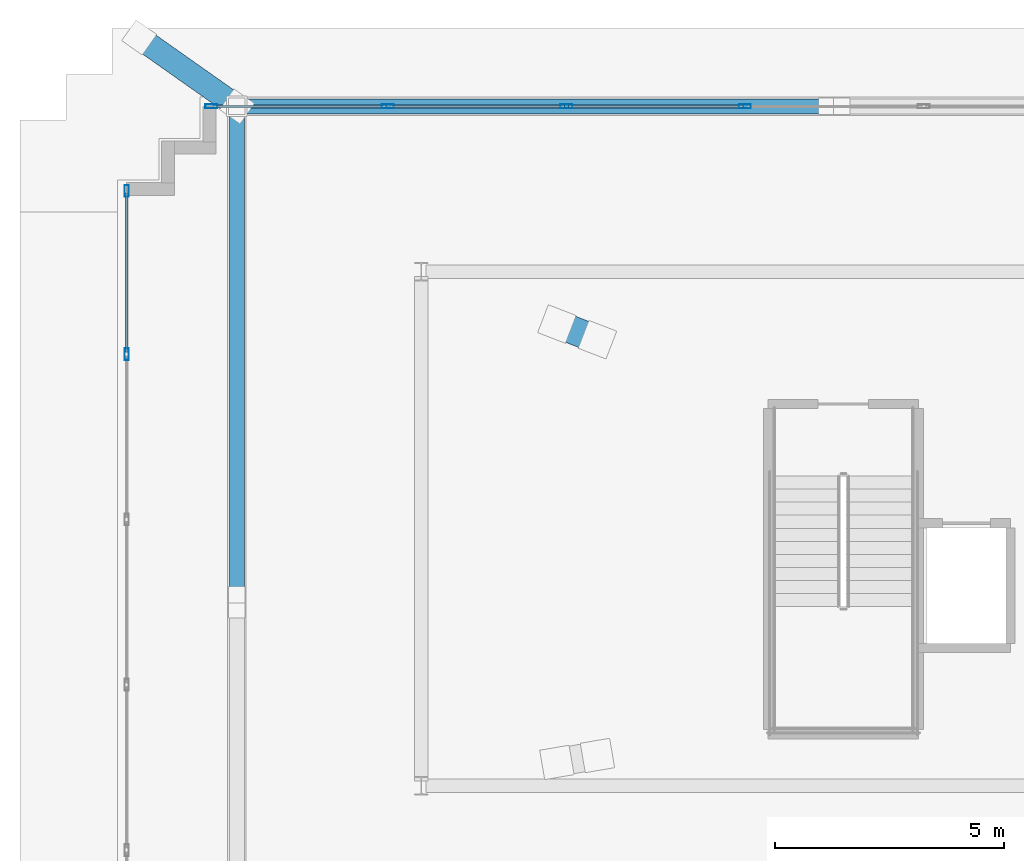
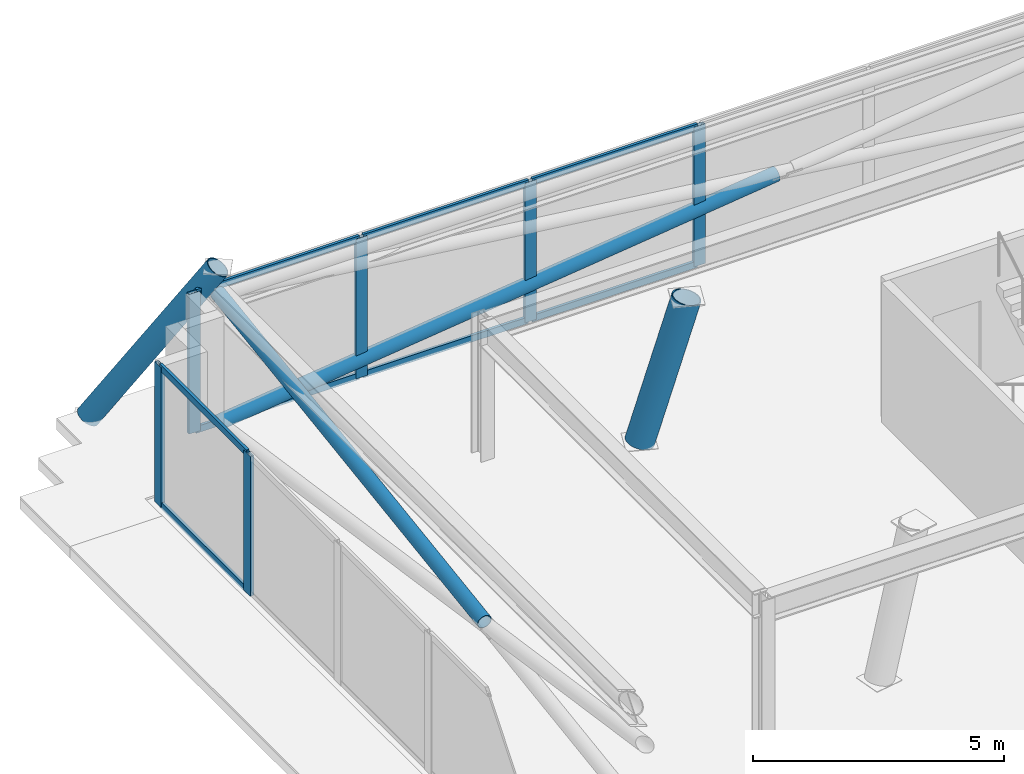
# One storey, part 7 of 15: 18 members, 2 elements without a shape of their own.
"""IFC4 building model written with IfcOpenShell, lengths in metres."""

from ifc_helpers import new_model, si_unit, direction, frame, origin, origin_2d, place, context, subcontext, project, spatial, hollow_rectangle, hollow_circle, extrude, material, layer, layer_set, material_profile, profile_set, type_object, element, aggregate, save


model = new_model("IFC4")

# Units and contexts
model_context = context("Model", 3, precision=1e-05, world=origin(), true_north=direction((0.0, 1.0)))
body_context = subcontext(model_context, "Body", "Model", "MODEL_VIEW")
ifc_project = project(units=[si_unit("LENGTHUNIT", "METRE"), si_unit("AREAUNIT", "SQUARE_METRE"), si_unit("VOLUMEUNIT", "CUBIC_METRE"), si_unit("PLANEANGLEUNIT", "RADIAN"), si_unit("MASSUNIT", "GRAM", prefix="KILO")], contexts=[model_context])

# Site, building, storey
site_placement = place(None, origin())
site = spatial("IfcSite", under=ifc_project, at=site_placement, CompositionType="ELEMENT")
building_placement = place(site_placement, origin())
building = spatial("IfcBuilding", under=site, at=building_placement, Name="Qobustan Lattice House", CompositionType="ELEMENT")
storey_placement = place(building_placement, frame((0.0, 0.0, 281.60009765625)))
storey = spatial("IfcBuildingStorey", under=building, at=storey_placement, Name="L79", CompositionType="ELEMENT", Elevation=281.60009765625)

# Curtain wall, members
ifc_material_1 = material(Name="Anodised aluminium and low-E glazing", Category="aluminium")
ifc_layer = layer(ifc_material_1, 0.219970703125)
ifc_layer_set = layer_set([ifc_layer], Name="Anodised aluminium and low-E glazing")
curtain_wall_type = type_object("IfcCurtainWallType", Name="CW-CRN-01", PredefinedType="USERDEFINED", material=ifc_layer_set)
curtain_wall_1_placement = place(storey_placement, origin())
curtain_wall_1 = element("IfcCurtainWall", 1, at=curtain_wall_1_placement, inside=storey, type_object=curtain_wall_type, Name="L79 glass-point crown faceted curtain wall 5", ObjectType="CURTAIN WALL", PredefinedType="USERDEFINED")
ifc_material_2 = material(Name="Anodised aluminium EN AW-6063 T6", Category="aluminium")
ifc_material_profile_1 = material_profile(ifc_material_2, hollow_rectangle(XDim=0.090087890625, YDim=0.260009765625, WallThickness=0.006103515625, at=origin_2d()), Name="CWM-CROWN-260x90")
ifc_profile_set_1 = profile_set([ifc_material_profile_1], Name="Anodised aluminium EN AW-6063 T6")
member_type_1 = type_object("IfcMemberType", Name="CWM-CRN-260", PredefinedType="MULLION", material=ifc_profile_set_1)
member_1_placement = place(storey_placement, frame((-15.6201171875, 3.802978515625, 0.0), z_axis=(0.0, 0.0, 1.0), x_axis=(-1.0, 0.0, 0.0)))
member_1 = element("IfcMember", 2, at=member_1_placement, type_object=member_type_1, Name="CW-CR mullion 5", PredefinedType="MULLION", context=body_context, shape_type="SweptSolid", body=[
    extrude(hollow_rectangle(XDim=0.090087890625, YDim=0.260009765625, WallThickness=0.006103515625, at=origin_2d()), origin(), (0.0, 0.0, 1.0), 3.39990234375),
])
member_2_placement = place(storey_placement, frame((-15.6201171875, 7.360107421875, 0.0), z_axis=(0.0, 0.0, 1.0), x_axis=(-1.0, 0.0, 0.0)))
member_2 = element("IfcMember", 3, at=member_2_placement, type_object=member_type_1, Name="CW-CR mullion 6", PredefinedType="MULLION", context=body_context, shape_type="SweptSolid", body=[
    extrude(hollow_rectangle(XDim=0.090087890625, YDim=0.260009765625, WallThickness=0.006103515625, at=origin_2d()), origin(), (0.0, 0.0, 1.0), 3.39990234375),
])

curtain_wall_2_placement = place(storey_placement, origin())
curtain_wall_2 = element("IfcCurtainWall", 4, at=curtain_wall_2_placement, inside=storey, type_object=curtain_wall_type, Name="L79 glass-point crown faceted curtain wall 10", ObjectType="CURTAIN WALL", PredefinedType="USERDEFINED")
member_3_placement = place(storey_placement, frame((-13.77490234375, 9.205078125, 0.0), z_axis=(0.0, 0.0, 1.0), x_axis=(0.0, 1.0, 0.0)))
member_3 = element("IfcMember", 5, at=member_3_placement, type_object=member_type_1, Name="CW-CR mullion 1", PredefinedType="MULLION", context=body_context, shape_type="SweptSolid", body=[
    extrude(hollow_rectangle(XDim=0.090087890625, YDim=0.260009765625, WallThickness=0.006103515625, at=origin_2d()), origin(), (0.0, 0.0, 1.0), 3.39990234375),
])
member_4_placement = place(storey_placement, frame((-9.928466796875, 9.205078125, 0.0), z_axis=(0.0, 0.0, 1.0), x_axis=(0.0, 1.0, 0.0)))
member_4 = element("IfcMember", 6, at=member_4_placement, type_object=member_type_1, Name="CW-CR mullion 2", PredefinedType="MULLION", context=body_context, shape_type="SweptSolid", body=[
    extrude(hollow_rectangle(XDim=0.090087890625, YDim=0.260009765625, WallThickness=0.006103515625, at=origin_2d()), origin(), (0.0, 0.0, 1.0), 3.39990234375),
])
member_5_placement = place(storey_placement, frame((-6.037109375, 9.205078125, 0.0), z_axis=(0.0, 0.0, 1.0), x_axis=(0.0, 1.0, 0.0)))
member_5 = element("IfcMember", 7, at=member_5_placement, type_object=member_type_1, Name="CW-CR mullion 3", PredefinedType="MULLION", context=body_context, shape_type="SweptSolid", body=[
    extrude(hollow_rectangle(XDim=0.090087890625, YDim=0.260009765625, WallThickness=0.006103515625, at=origin_2d()), origin(), (0.0, 0.0, 1.0), 3.39990234375),
])
member_6_placement = place(storey_placement, frame((-2.145751953125, 9.205078125, 0.0), z_axis=(0.0, 0.0, 1.0), x_axis=(0.0, 1.0, 0.0)))
member_6 = element("IfcMember", 8, at=member_6_placement, type_object=member_type_1, Name="CW-CR mullion 4", PredefinedType="MULLION", context=body_context, shape_type="SweptSolid", body=[
    extrude(hollow_rectangle(XDim=0.090087890625, YDim=0.260009765625, WallThickness=0.006103515625, at=origin_2d()), origin(), (0.0, 0.0, 1.0), 3.39990234375),
])

# Member
ifc_material_3 = material(Name="Anodised aluminium EN AW-6063 T6", Category="aluminium")
ifc_material_profile_2 = material_profile(ifc_material_3, hollow_rectangle(XDim=0.06494140625, YDim=0.159912109375, WallThickness=0.00390625, at=origin_2d()), Name="CWT-160x65")
ifc_profile_set_2 = profile_set([ifc_material_profile_2], Name="Anodised aluminium EN AW-6063 T6")
member_type_2 = type_object("IfcMemberType", Name="CWT-HOR-160", PredefinedType="USERDEFINED", material=ifc_profile_set_2)
member_7_placement = place(storey_placement, frame((-15.6201171875, 3.847900390625, 0.032470703125), z_axis=(0.0, 1.0, 0.0), x_axis=(-1.0, 0.0, 0.0)))
member_7 = element("IfcMember", 9, at=member_7_placement, type_object=member_type_2, Name="CW-CR transom 5.1", ObjectType="TRANSOM", PredefinedType="USERDEFINED", context=body_context, shape_type="SweptSolid", body=[
    extrude(hollow_rectangle(XDim=0.06494140625, YDim=0.159912109375, WallThickness=0.00390625, at=origin_2d()), origin(), (0.0, 0.0, 1.0), 3.467041015625),
])

member_8_placement = place(storey_placement, frame((-15.6201171875, 3.847900390625, 3.367431640625), z_axis=(0.0, 1.0, 0.0), x_axis=(-1.0, 0.0, 0.0)))
member_8 = element("IfcMember", 10, at=member_8_placement, type_object=member_type_2, Name="CW-CR transom 5.2", ObjectType="TRANSOM", PredefinedType="USERDEFINED", context=body_context, shape_type="SweptSolid", body=[
    extrude(hollow_rectangle(XDim=0.06494140625, YDim=0.159912109375, WallThickness=0.00390625, at=origin_2d()), origin(), (0.0, 0.0, 1.0), 3.467041015625),
])

aggregate(curtain_wall_1, [member_1, member_2, member_7, member_8])

member_9_placement = place(storey_placement, frame((-13.72998046875, 9.205078125, 0.032470703125), z_axis=(1.0, 0.0, 0.0), x_axis=(0.0, 1.0, 0.0)))
member_9 = element("IfcMember", 11, at=member_9_placement, type_object=member_type_2, Name="CW-CR transom 1.1", ObjectType="TRANSOM", PredefinedType="USERDEFINED", context=body_context, shape_type="SweptSolid", body=[
    extrude(hollow_rectangle(XDim=0.06494140625, YDim=0.159912109375, WallThickness=0.00390625, at=origin_2d()), origin(), (0.0, 0.0, 1.0), 3.75634765625),
])

member_10_placement = place(storey_placement, frame((-13.72998046875, 9.205078125, 3.367431640625), z_axis=(1.0, 0.0, 0.0), x_axis=(0.0, 1.0, 0.0)))
member_10 = element("IfcMember", 12, at=member_10_placement, type_object=member_type_2, Name="CW-CR transom 1.2", ObjectType="TRANSOM", PredefinedType="USERDEFINED", context=body_context, shape_type="SweptSolid", body=[
    extrude(hollow_rectangle(XDim=0.06494140625, YDim=0.159912109375, WallThickness=0.00390625, at=origin_2d()), origin(), (0.0, 0.0, 1.0), 3.75634765625),
])

member_11_placement = place(storey_placement, frame((-9.883544921875, 9.205078125, 0.032470703125), z_axis=(1.0, 0.0, 0.0), x_axis=(0.0, 1.0, 0.0)))
member_11 = element("IfcMember", 13, at=member_11_placement, type_object=member_type_2, Name="CW-CR transom 2.1", ObjectType="TRANSOM", PredefinedType="USERDEFINED", context=body_context, shape_type="SweptSolid", body=[
    extrude(hollow_rectangle(XDim=0.06494140625, YDim=0.159912109375, WallThickness=0.00390625, at=origin_2d()), origin(), (0.0, 0.0, 1.0), 3.801513671875),
])

member_12_placement = place(storey_placement, frame((-9.883544921875, 9.205078125, 3.367431640625), z_axis=(1.0, 0.0, 0.0), x_axis=(0.0, 1.0, 0.0)))
member_12 = element("IfcMember", 14, at=member_12_placement, type_object=member_type_2, Name="CW-CR transom 2.2", ObjectType="TRANSOM", PredefinedType="USERDEFINED", context=body_context, shape_type="SweptSolid", body=[
    extrude(hollow_rectangle(XDim=0.06494140625, YDim=0.159912109375, WallThickness=0.00390625, at=origin_2d()), origin(), (0.0, 0.0, 1.0), 3.801513671875),
])

member_13_placement = place(storey_placement, frame((-5.9921875, 9.205078125, 0.032470703125), z_axis=(1.0, 0.0, 0.0), x_axis=(0.0, 1.0, 0.0)))
member_13 = element("IfcMember", 15, at=member_13_placement, type_object=member_type_2, Name="CW-CR transom 3.1", ObjectType="TRANSOM", PredefinedType="USERDEFINED", context=body_context, shape_type="SweptSolid", body=[
    extrude(hollow_rectangle(XDim=0.06494140625, YDim=0.159912109375, WallThickness=0.00390625, at=origin_2d()), origin(), (0.0, 0.0, 1.0), 3.801513671875),
])

member_14_placement = place(storey_placement, frame((-5.9921875, 9.205078125, 3.367431640625), z_axis=(1.0, 0.0, 0.0), x_axis=(0.0, 1.0, 0.0)))
member_14 = element("IfcMember", 16, at=member_14_placement, type_object=member_type_2, Name="CW-CR transom 3.2", ObjectType="TRANSOM", PredefinedType="USERDEFINED", context=body_context, shape_type="SweptSolid", body=[
    extrude(hollow_rectangle(XDim=0.06494140625, YDim=0.159912109375, WallThickness=0.00390625, at=origin_2d()), origin(), (0.0, 0.0, 1.0), 3.801513671875),
])

aggregate(curtain_wall_2, [member_3, member_4, member_5, member_6, member_9, member_10, member_11, member_12, member_13, member_14])

# Members
ifc_material_4 = material(Name="Steel S355", Category="steel")
ifc_material_profile_3 = material_profile(ifc_material_4, hollow_circle(Radius=0.161865234375, WallThickness=0.012451171875, at=origin_2d()), Name="CHS323.9x12.5")
ifc_profile_set_3 = profile_set([ifc_material_profile_3], Name="Steel S355")
member_type_3 = type_object("IfcMemberType", Name="MEM-CBR-CHS324", PredefinedType="BRACE", material=ifc_profile_set_3)
member_15_placement = place(storey_placement, frame((-13.219970703125, 9.205078125, 0.014892578125), z_axis=(0.992694208384, 0.0, 0.120657401931), x_axis=(0.0, 1.0, 0.0)))
element("IfcMember", 17, at=member_15_placement, inside=storey, type_object=member_type_3, Name="L79 crown diagrid split brace 3B lower", PredefinedType="BRACE", context=body_context, shape_type="SweptSolid", body=[
    extrude(hollow_circle(Radius=0.161865234375, WallThickness=0.012451171875, at=origin_2d()), origin(), (0.0, 0.0, 1.0), 12.94775390625),
])
member_16_placement = place(storey_placement, frame((-13.219970703125, -1.433837890625, 1.62158203125), z_axis=(0.0, 0.989441933609, 0.144929845153), x_axis=(-1.0, 0.0, 0.0)))
element("IfcMember", 18, at=member_16_placement, inside=storey, type_object=member_type_3, Name="L79 crown diagrid split brace 4B upper", PredefinedType="BRACE", context=body_context, shape_type="SweptSolid", body=[
    extrude(hollow_circle(Radius=0.161865234375, WallThickness=0.012451171875, at=origin_2d()), origin(), (0.0, 0.0, 1.0), 10.75244140625),
])
ifc_material_5 = material(Name="Steel S355", Category="steel")
ifc_material_profile_4 = material_profile(ifc_material_5, hollow_circle(Radius=0.304931640625, WallThickness=0.02490234375, at=origin_2d()), Name="CHS610x25")
ifc_profile_set_4 = profile_set([ifc_material_profile_4], Name="Steel S355")
member_type_4 = type_object("IfcMemberType", Name="MEM-SPR-CHS610", PredefinedType="USERDEFINED", material=ifc_profile_set_4)
member_17_placement = place(storey_placement, frame((-6.244384765625, 4.4599609375, 0.0), z_axis=(0.249766744968, -0.09630894986, 0.963504623385), x_axis=(0.35977564332, 0.933038845104, 0.0)))
element("IfcMember", 19, at=member_17_placement, inside=storey, type_object=member_type_4, Name="L79 crown spire leg SL4", ObjectType="CROWN FRAME", PredefinedType="USERDEFINED", context=body_context, shape_type="SweptSolid", body=[
    extrude(hollow_circle(Radius=0.304931640625, WallThickness=0.02490234375, at=origin_2d()), origin(), (0.0, 0.0, 1.0), 3.528564453125),
])
ifc_material_6 = material(Name="Steel S355", Category="steel")
ifc_material_profile_5 = material_profile(ifc_material_6, hollow_circle(Radius=0.25390625, WallThickness=0.02001953125, at=origin_2d()), Name="CHS508x20")
ifc_profile_set_5 = profile_set([ifc_material_profile_5], Name="Steel S355")
member_type_5 = type_object("IfcMemberType", Name="MEM-STR-CHS508", PredefinedType="STRUT", material=ifc_profile_set_5)
member_18_placement = place(storey_placement, frame((-15.346435546875, 10.70361328125, 0.0), z_axis=(0.461773572217, -0.32541517638, 0.825148550859), x_axis=(0.576041902773, 0.817420165062, 0.0)))
element("IfcMember", 20, at=member_18_placement, inside=storey, type_object=member_type_5, Name="L79 crown corner raking strut 4", PredefinedType="STRUT", context=body_context, shape_type="SweptSolid", body=[
    extrude(hollow_circle(Radius=0.25390625, WallThickness=0.02001953125, at=origin_2d()), origin(), (0.0, 0.0, 1.0), 4.60498046875),
])

save(model, "model.ifc")
